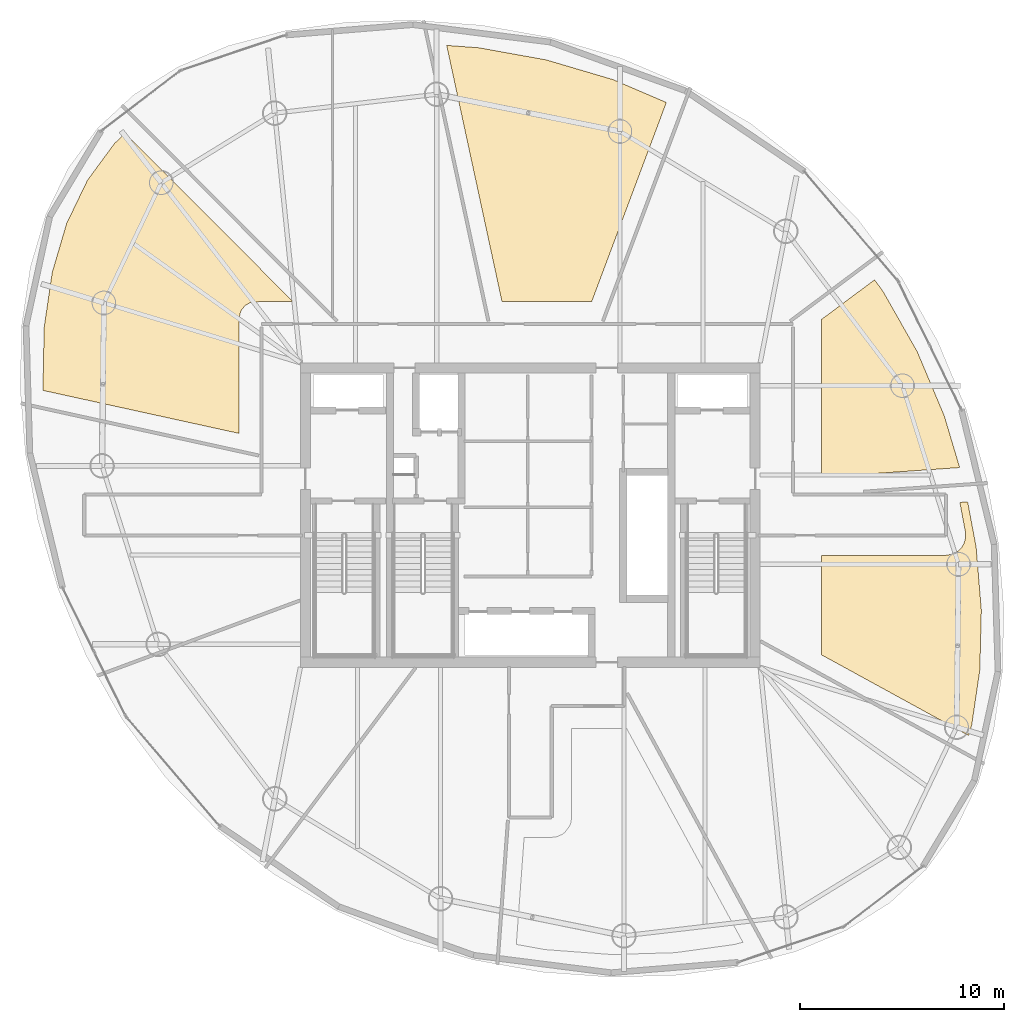
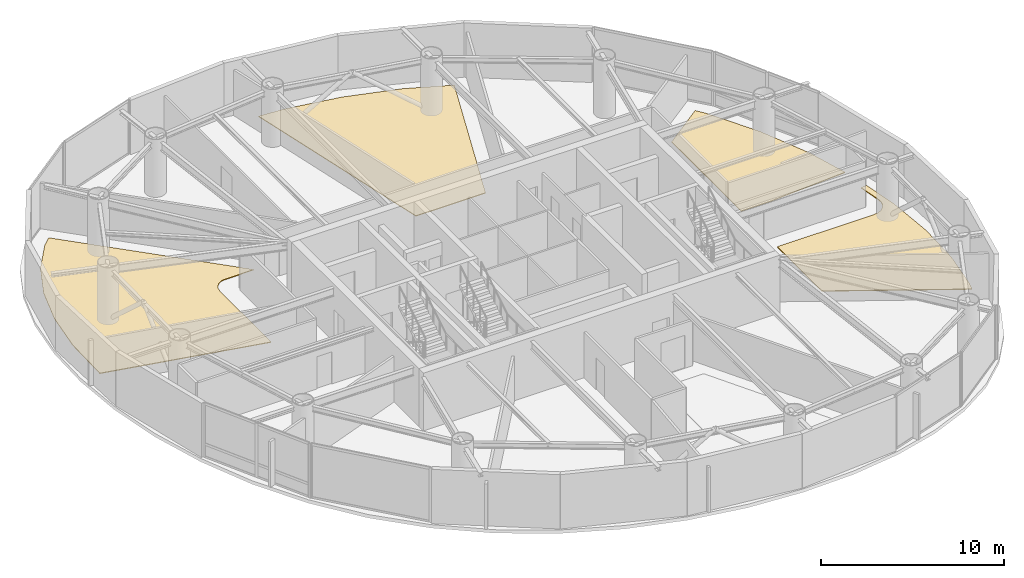
# One storey, part 19 of 19: 4 coverings.
"""IFC4 building model written with IfcOpenShell, lengths in metres."""

import ifcopenshell
import ifcopenshell.guid

model = None  # the IFC model being written
_history = None  # IfcOwnerHistory: only IFC2X3 demands one
_inside = {}  # id of a spatial element -> (the spatial element, [elements in it])
_under = {}  # id of a project, library or spatial element -> (it, [spatial elements below it])
_declared = {}  # id of a project -> (the project, [libraries it declares])
_typed = {}  # id of a type object -> (the type object, [elements of that type])
_made_of = {}  # id of a material, layer set ... -> (it, [elements and type objects made of it])


def new_model(schema):
    """Start an empty IFC model of exactly this schema.

    Asked for "IFC4X3", IfcOpenShell would pick the latest addendum, in which some entities
    have other attributes; the version numbers below select the first issue.
    IFC2X3 requires an IfcOwnerHistory on every rooted entity: one is made here for all.
    """
    global model, _history
    if schema == "IFC4X3":
        model = ifcopenshell.file(schema_version=(4, 3, 0, 0))
    else:
        model = ifcopenshell.file(schema=schema)
    _inside.clear()
    _under.clear()
    _declared.clear()
    _typed.clear()
    _made_of.clear()
    _history = None
    if model.schema == "IFC2X3":
        org = make("IfcOrganization", Name="unknown")
        user = make(
            "IfcPersonAndOrganization",
            ThePerson=make("IfcPerson", FamilyName="unknown"),
            TheOrganization=org,
        )
        app = make(
            "IfcApplication",
            ApplicationDeveloper=org,
            Version="unknown",
            ApplicationFullName="unknown",
            ApplicationIdentifier="unknown",
        )
        _history = make(
            "IfcOwnerHistory",
            OwningUser=user,
            OwningApplication=app,
            ChangeAction="ADDED",
            CreationDate=0,
        )
    return model


def make(cls, **values):
    """One entity of the class cls with the attributes given. An attribute that is None is left unset."""
    return model.create_entity(
        cls, **{name: value for name, value in values.items() if value is not None}
    )


def rooted(cls, **values):
    """An entity with a GlobalId (a new one), such as an element, a storey or a relation."""
    return make(cls, GlobalId=ifcopenshell.guid.new(), OwnerHistory=_history, **values)


def si_unit(unit_type, name, prefix=None):
    """IfcSIUnit, for example si_unit("LENGTHUNIT", "METRE", prefix="MILLI")."""
    return make("IfcSIUnit", UnitType=unit_type, Prefix=prefix, Name=name)


def assignment(units):
    """IfcUnitAssignment: the units of a project."""
    return None if units is None else make("IfcUnitAssignment", Units=units)


def point(xyz):
    """IfcCartesianPoint."""
    return None if xyz is None else make("IfcCartesianPoint", Coordinates=xyz)


def direction(xyz):
    """IfcDirection."""
    return None if xyz is None else make("IfcDirection", DirectionRatios=xyz)


def frame(location, z_axis=None, x_axis=None):
    """IfcAxis2Placement3D, a coordinate frame: its origin and axes. An axis left out is left unset."""
    return make(
        "IfcAxis2Placement3D",
        Location=point(location),
        Axis=direction(z_axis),
        RefDirection=direction(x_axis),
    )


def origin():
    """The frame at (0, 0, 0) with its axes left unset."""
    return frame((0.0, 0.0, 0.0))


def place(relative_to, where):
    """IfcLocalPlacement: puts the frame where relative to a parent placement (None: the world)."""
    return make(
        "IfcLocalPlacement", PlacementRelTo=relative_to, RelativePlacement=where
    )


def context(
    kind, dimensions, precision=None, world=None, true_north=None, identifier=None
):
    """IfcGeometricRepresentationContext, for example the 3D "Model" context."""
    return make(
        "IfcGeometricRepresentationContext",
        ContextIdentifier=identifier,
        ContextType=kind,
        CoordinateSpaceDimension=dimensions,
        Precision=precision,
        WorldCoordinateSystem=world,
        TrueNorth=true_north,
    )


def subcontext(parent, identifier, kind, view, scale=None):
    """IfcGeometricRepresentationSubContext, for example "Body" below "Model"."""
    return make(
        "IfcGeometricRepresentationSubContext",
        ContextIdentifier=identifier,
        ContextType=kind,
        ParentContext=parent,
        TargetScale=scale,
        TargetView=view,
    )


def project(units=None, contexts=None):
    """IfcProject with its units and contexts."""
    return rooted(
        "IfcProject",
        Name="project",
        RepresentationContexts=contexts,
        UnitsInContext=assignment(units),
    )


def spatial(cls, under=None, at=None, **own):
    """A site, building, storey or space (cls), placed at a placement, below another one or the project."""
    s = rooted(cls, ObjectPlacement=at, **own)
    if under is not None:
        _under.setdefault(under.id(), (under, []))[1].append(s)
    return s


def polyline(points):
    """IfcPolyline through the points."""
    return make("IfcPolyline", Points=[point(p) for p in points])


def outline(outer, holes=None, kind="AREA"):
    """IfcArbitraryClosedProfileDef: a profile drawn as a closed curve; with holes, ...WithVoids."""
    if holes is None:
        return make("IfcArbitraryClosedProfileDef", ProfileType=kind, OuterCurve=outer)
    return make(
        "IfcArbitraryProfileDefWithVoids",
        ProfileType=kind,
        OuterCurve=outer,
        InnerCurves=holes,
    )


def extrude(swept, where, along, depth):
    """IfcExtrudedAreaSolid: the profile swept, set in the frame where, extruded along a direction by depth."""
    return make(
        "IfcExtrudedAreaSolid",
        SweptArea=swept,
        Position=where,
        ExtrudedDirection=direction(along),
        Depth=depth,
    )


def shape(context_of_items, identifier, shape_type, items):
    """IfcShapeRepresentation: the items that make up one representation, for example the "Body"."""
    return make(
        "IfcShapeRepresentation",
        ContextOfItems=context_of_items,
        RepresentationIdentifier=identifier,
        RepresentationType=shape_type,
        Items=items,
    )


def material(Name=None, Category=None):
    """IfcMaterial."""
    return make("IfcMaterial", Name=Name, Category=Category)


def layer(
    of_material, thickness, ventilated=None, Name=None, Category=None, Priority=None
):
    """IfcMaterialLayer: one layer of a wall or slab, of a material (None: an air gap)."""
    return make(
        "IfcMaterialLayer",
        Material=of_material,
        LayerThickness=thickness,
        IsVentilated=ventilated,
        Name=Name,
        Category=Category,
        Priority=Priority,
    )


def layer_set(layers, Name=None):
    """IfcMaterialLayerSet."""
    return make("IfcMaterialLayerSet", MaterialLayers=layers, LayerSetName=Name)


def made_of(thing, what):
    """Note that an element or type object is made of a material, layer set ...; save() writes the relation."""
    if what is not None:
        _made_of.setdefault(what.id(), (what, []))[1].append(thing)
    return thing


def type_object(cls, material=None, **own):
    """A type object (cls), such as IfcWallType, which elements share."""
    return made_of(rooted(cls, **own), material)


def element(
    cls,
    number,
    at=None,
    inside=None,
    cuts=None,
    type_object=None,
    material=None,
    context=None,
    identifier="Body",
    shape_type=None,
    held_by="IfcProductDefinitionShape",
    body=None,
    shapes=None,
    **own,
):
    """One element of the class cls, such as IfcWall. Its Tag is "e" and its number.

    at: its placement. inside: the storey or other place that contains it. cuts: it is an
    opening in that element (IfcRelVoidsElement). A single representation is given by context,
    identifier, shape_type and body (its items); several are given by shapes. held_by: the class
    of the entity that holds the representations. save() writes the other relations.
    """
    e = rooted(cls, Tag="e%d" % number, ObjectPlacement=at, **own)
    if body is not None:
        shapes = [shape(context, identifier, shape_type, body)]
    if shapes is not None:
        e.Representation = make(held_by, Representations=shapes)
    if inside is not None:
        _inside.setdefault(inside.id(), (inside, []))[1].append(e)
    if cuts is not None:
        rooted(
            "IfcRelVoidsElement", RelatingBuildingElement=cuts, RelatedOpeningElement=e
        )
    if type_object is not None:
        _typed.setdefault(type_object.id(), (type_object, []))[1].append(e)
    return made_of(e, material)


def aggregate(whole, parts):
    """IfcRelAggregates: a whole, such as a stair, and the parts it consists of."""
    return rooted("IfcRelAggregates", RelatingObject=whole, RelatedObjects=parts)


def save(model, path):
    """Write the relations noted so far, then the file.

    IfcRelAggregates (storeys below a building ...), IfcRelContainedInSpatialStructure (elements
    in a storey), IfcRelDefinesByType, IfcRelAssociatesMaterial and IfcRelDeclares: one each for
    every whole, place, type object, material and project.
    """
    for whole, parts in _under.values():
        aggregate(whole, parts)
    for where, things in _inside.values():
        rooted(
            "IfcRelContainedInSpatialStructure",
            RelatedElements=things,
            RelatingStructure=where,
        )
    for kind, things in _typed.values():
        rooted("IfcRelDefinesByType", RelatedObjects=things, RelatingType=kind)
    for what, things in _made_of.values():
        rooted("IfcRelAssociatesMaterial", RelatedObjects=things, RelatingMaterial=what)
    for by, libraries in _declared.values():
        rooted("IfcRelDeclares", RelatingContext=by, RelatedDefinitions=libraries)
    model.write(path)


model = new_model("IFC4")

# Units and contexts
model_context = context("Model", 3, precision=1e-05, world=origin(), true_north=direction((0.0, 1.0)))
body_context = subcontext(model_context, "Body", "Model", "MODEL_VIEW")
ifc_project = project(units=[si_unit("LENGTHUNIT", "METRE"), si_unit("AREAUNIT", "SQUARE_METRE"), si_unit("VOLUMEUNIT", "CUBIC_METRE"), si_unit("PLANEANGLEUNIT", "RADIAN"), si_unit("MASSUNIT", "GRAM", prefix="KILO")], contexts=[model_context])

# Site, building, storey
site_placement = place(None, origin())
site = spatial("IfcSite", under=ifc_project, at=site_placement, CompositionType="ELEMENT")
building_placement = place(site_placement, origin())
building = spatial("IfcBuilding", under=site, at=building_placement, Name="Bramvorn Convention Spire", CompositionType="ELEMENT")
storey_placement = place(building_placement, frame((0.0, 0.0, 198.14990234375)))
storey = spatial("IfcBuildingStorey", under=building, at=storey_placement, Name="L50", CompositionType="ELEMENT", Elevation=198.14990234375)

# Coverings
ifc_material = material(Name="Calcium-Sulphate Raised Access Office Floor", Category="steel")
ifc_layer = layer(ifc_material, 0.044921875)
ifc_layer_set = layer_set([ifc_layer], Name="Calcium-Sulphate Raised Access Office Floor - FLR-RAISED-45")
covering_type = type_object("IfcCoveringType", Name="FLR-RAISED-45", PredefinedType="FLOORING", material=ifc_layer_set)
covering_1_placement = place(storey_placement, origin())
element("IfcCovering", 1, at=covering_1_placement, inside=storey, type_object=covering_type, Name="L50 Archive & Document Store 1 1 raised floor finish", PredefinedType="FLOORING", context=body_context, shape_type="SweptSolid", body=[
    extrude(outline(polyline([(52.25, 27.969970703125), (53.987060546875, 27.969970703125), (59.010986328125, 28.3212890625), (58.256103515625, 30.85546875), (56.935546875, 33.989501953125), (55.248779296875, 36.96240234375), (54.842529296875, 37.506103515625), (52.25, 35.57177734375), (52.25, 27.969970703125)])), origin(), (0.0, 0.0, 1.0), 0.045166015625),
])
covering_2_placement = place(storey_placement, origin())
element("IfcCovering", 2, at=covering_2_placement, inside=storey, type_object=covering_type, Name="L50 Archive & Print Store 3 3 raised floor finish", PredefinedType="FLOORING", context=body_context, shape_type="SweptSolid", body=[
    extrude(outline(polyline([(35.481201171875, 48.86328125), (33.90869140625, 48.97998046875), (36.61376953125, 36.449951171875), (41.0087890625, 36.449951171875), (44.658203125, 46.187255859375), (42.0400390625, 47.3076171875), (38.7783203125, 48.270751953125), (35.481201171875, 48.86328125)])), origin(), (0.0, 0.0, 1.0), 0.045166015625),
])
covering_3_placement = place(storey_placement, origin())
element("IfcCovering", 3, at=covering_3_placement, inside=storey, type_object=covering_type, Name="L50 Partner Private Office 2 5 raised floor finish", PredefinedType="FLOORING", context=body_context, shape_type="SweptSolid", body=[
    extrude(outline(polyline([(14.152587890625, 32.097412109375), (23.75, 29.993896484375), (23.75, 35.60009765625), (23.814697265625, 35.92529296875), (23.893310546875, 36.072265625), (24.060791015625, 36.257080078125), (24.274658203125, 36.38525390625), (24.43408203125, 36.43359375), (26.3828125, 36.449951171875), (18.185791015625, 44.673095703125), (17.658935546875, 44.18701171875), (16.3330078125, 42.38134765625), (15.31689453125, 40.27490234375), (14.60888671875, 37.866943359375), (14.2138671875, 35.178466796875), (14.152587890625, 32.097412109375)])), origin(), (0.0, 0.0, 1.0), 0.045166015625),
])
covering_4_placement = place(storey_placement, origin())
element("IfcCovering", 4, at=covering_4_placement, inside=storey, type_object=covering_type, Name="L50 Archive & Document Store 1 11 raised floor finish", PredefinedType="FLOORING", context=body_context, shape_type="SweptSolid", body=[
    extrude(outline(polyline([(59.2958984375, 25.13818359375), (59.295166015625, 24.855224609375), (59.21240234375, 24.584716796875), (59.1083984375, 24.4130859375), (58.906005859375, 24.21533203125), (58.66650390625, 24.088134765625), (58.336181640625, 24.030029296875), (52.25, 24.030029296875), (52.25, 19.15869140625), (59.44921875, 15.212890625), (59.601806640625, 15.732666015625), (59.9970703125, 18.42138671875), (60.071044921875, 21.346923828125), (59.813720703125, 24.447021484375), (59.400634765625, 26.644287109375), (59.01904296875, 26.61767578125), (59.2958984375, 25.13818359375)])), origin(), (0.0, 0.0, 1.0), 0.045166015625),
])

save(model, "model.ifc")
